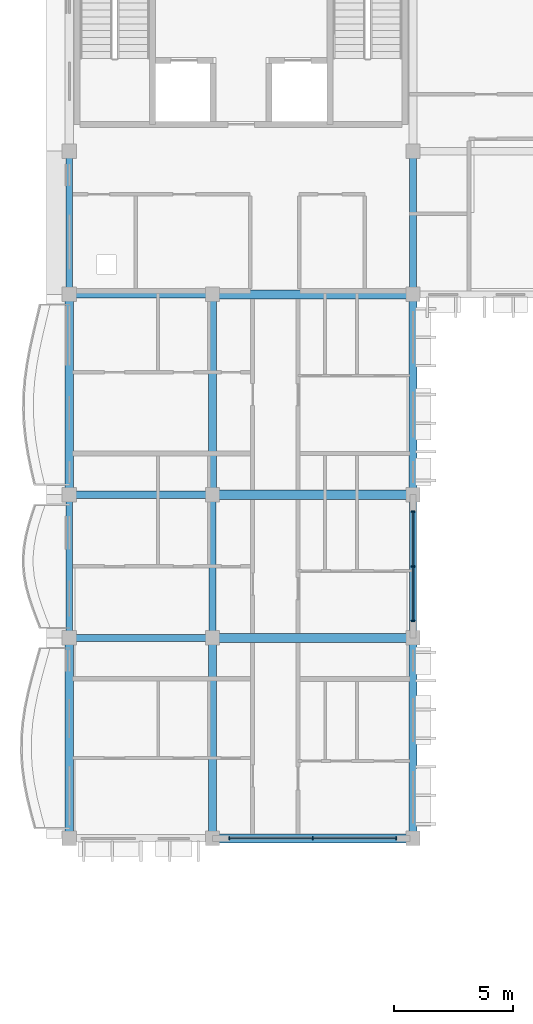
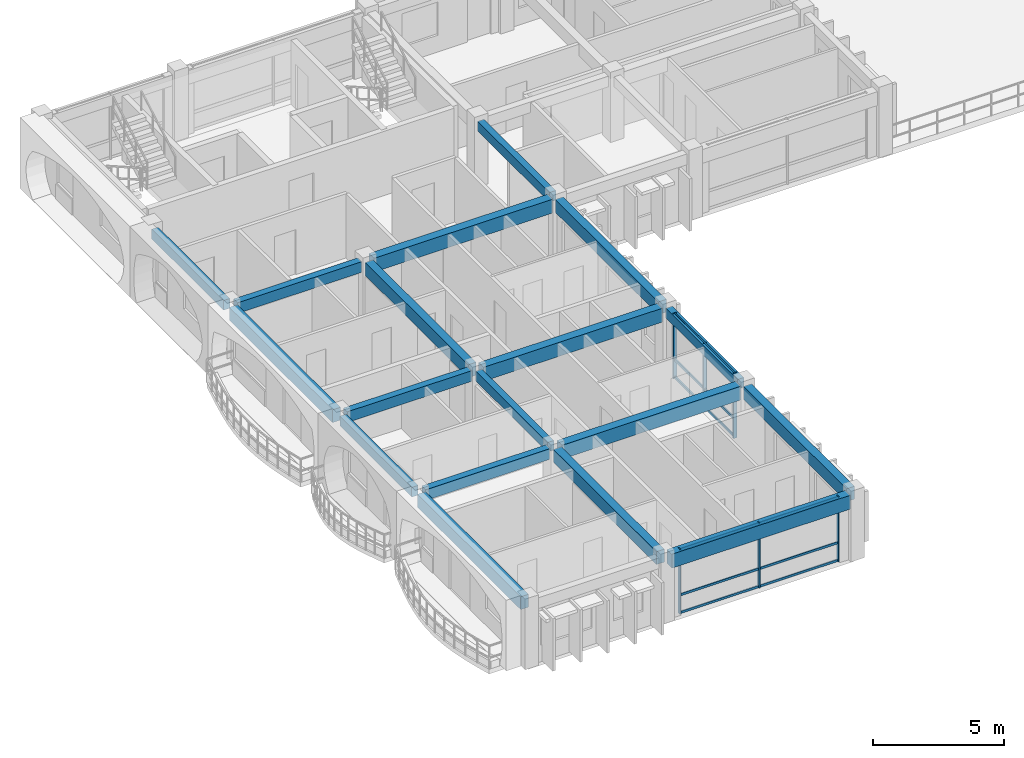
# One storey, part 2 of 31: 18 beams, 12 members, 2 elements without a shape of their own.
"""IFC4 building model written with IfcOpenShell, lengths in metres."""

from ifc_helpers import new_model, si_unit, direction, frame, origin, origin_2d, place, context, subcontext, project, spatial, rectangle, extrude, material, material_profile, profile_set, type_object, element, aggregate, save


model = new_model("IFC4")

# Units and contexts
model_context = context("Model", 3, precision=1e-05, world=origin(), true_north=direction((0.0, 1.0)))
body_context = subcontext(model_context, "Body", "Model", "MODEL_VIEW")
ifc_project = project(units=[si_unit("LENGTHUNIT", "METRE"), si_unit("AREAUNIT", "SQUARE_METRE"), si_unit("VOLUMEUNIT", "CUBIC_METRE"), si_unit("PLANEANGLEUNIT", "RADIAN"), si_unit("MASSUNIT", "GRAM", prefix="KILO"), si_unit("THERMODYNAMICTEMPERATUREUNIT", "KELVIN")], contexts=[model_context])

# Site, building, storey
site_placement = place(None, origin())
site = spatial("IfcSite", under=ifc_project, at=site_placement, CompositionType="ELEMENT")
building_placement = place(site_placement, origin())
building = spatial("IfcBuilding", under=site, at=building_placement, Name="Thalorik Housing Commons", CompositionType="ELEMENT")
storey_placement = place(building_placement, frame((0.0, 0.0, 37.800048828125)))
storey = spatial("IfcBuildingStorey", under=building, at=storey_placement, Name="L11", CompositionType="ELEMENT", Elevation=37.800048828125)

# Curtain wall, members
ifc_material_1 = material(Name="Anodised aluminium and solar-control low-E glass", Category="aluminium")
curtain_wall_type = type_object("IfcCurtainWallType", Name="ARC-CW-LOUNGE", PredefinedType="USERDEFINED", material=ifc_material_1)
curtain_wall_1_placement = place(storey_placement, origin())
curtain_wall_1 = element("IfcCurtainWall", 1, at=curtain_wall_1_placement, inside=storey, type_object=curtain_wall_type, Name="L11 Curtain Wall CW-RES-L11-A-051", ObjectType="CURTAIN WALL", PredefinedType="USERDEFINED")
ifc_material_2 = material(Name="Anodised aluminium 6063-T6", Category="aluminium")
ifc_material_profile_1 = material_profile(ifc_material_2, rectangle(XDim=0.054931640625, YDim=0.139892578125, at=origin_2d()), Name="ALU MUL 55x140", Category="aluminium")
ifc_profile_set_1 = profile_set([ifc_material_profile_1], Name="Anodised aluminium 6063-T6")
member_type_1 = type_object("IfcMemberType", Name="ARC-CW-MUL-55x140", PredefinedType="MULLION", material=ifc_profile_set_1)
member_1_placement = place(storey_placement, frame((15.10009765625, 86.39990234375, 0.0), z_axis=(0.0, 0.0, 1.0), x_axis=(1.0, 0.0, 0.0)))
member_1 = element("IfcMember", 2, at=member_1_placement, type_object=member_type_1, Name="CW-RES-L11-A-051 Mullion 1", PredefinedType="MULLION", context=body_context, shape_type="SweptSolid", body=[
    extrude(rectangle(XDim=0.054931640625, YDim=0.139892578125, at=origin_2d()), origin(), (0.0, 0.0, 1.0), 3.0400390625),
])
member_2_placement = place(storey_placement, frame((18.60009765625, 86.39990234375, 0.0), z_axis=(0.0, 0.0, 1.0), x_axis=(1.0, 0.0, 0.0)))
member_2 = element("IfcMember", 3, at=member_2_placement, type_object=member_type_1, Name="CW-RES-L11-A-051 Mullion 2", PredefinedType="MULLION", context=body_context, shape_type="SweptSolid", body=[
    extrude(rectangle(XDim=0.054931640625, YDim=0.139892578125, at=origin_2d()), origin(), (0.0, 0.0, 1.0), 3.0400390625),
])
member_3_placement = place(storey_placement, frame((22.10009765625, 86.39990234375, 0.0), z_axis=(0.0, 0.0, 1.0), x_axis=(1.0, 0.0, 0.0)))
member_3 = element("IfcMember", 4, at=member_3_placement, type_object=member_type_1, Name="CW-RES-L11-A-051 Mullion 3", PredefinedType="MULLION", context=body_context, shape_type="SweptSolid", body=[
    extrude(rectangle(XDim=0.054931640625, YDim=0.139892578125, at=origin_2d()), origin(), (0.0, 0.0, 1.0), 3.0400390625),
])

curtain_wall_2_placement = place(storey_placement, origin())
curtain_wall_2 = element("IfcCurtainWall", 5, at=curtain_wall_2_placement, inside=storey, type_object=curtain_wall_type, Name="L11 Curtain Wall CW-RES-L11-A-052", ObjectType="CURTAIN WALL", PredefinedType="USERDEFINED")
ifc_material_profile_2 = material_profile(ifc_material_2, rectangle(XDim=0.06005859375, YDim=0.159912109375, at=origin_2d()), Name="ALU MUL 60x160", Category="aluminium")
ifc_profile_set_2 = profile_set([ifc_material_profile_2], Name="Anodised aluminium 6063-T6")
member_type_2 = type_object("IfcMemberType", Name="ARC-CW-MUL-60x160", PredefinedType="MULLION", material=ifc_profile_set_2)
member_4_placement = place(storey_placement, frame((22.800048828125, 95.5, 0.0), z_axis=(0.0, 0.0, 1.0), x_axis=(0.0, 1.0, 0.0)))
member_4 = element("IfcMember", 6, at=member_4_placement, type_object=member_type_2, Name="CW-RES-L11-A-052 Mullion 1", PredefinedType="MULLION", context=body_context, shape_type="SweptSolid", body=[
    extrude(rectangle(XDim=0.06005859375, YDim=0.159912109375, at=origin_2d()), origin(), (0.0, 0.0, 1.0), 3.0400390625),
])
member_5_placement = place(storey_placement, frame((22.800048828125, 97.800048828125, 0.0), z_axis=(0.0, 0.0, 1.0), x_axis=(0.0, 1.0, 0.0)))
member_5 = element("IfcMember", 7, at=member_5_placement, type_object=member_type_2, Name="CW-RES-L11-A-052 Mullion 2", PredefinedType="MULLION", context=body_context, shape_type="SweptSolid", body=[
    extrude(rectangle(XDim=0.06005859375, YDim=0.159912109375, at=origin_2d()), origin(), (0.0, 0.0, 1.0), 3.0400390625),
])
member_6_placement = place(storey_placement, frame((22.800048828125, 100.10009765625, 0.0), z_axis=(0.0, 0.0, 1.0), x_axis=(0.0, 1.0, 0.0)))
member_6 = element("IfcMember", 8, at=member_6_placement, type_object=member_type_2, Name="CW-RES-L11-A-052 Mullion 3", PredefinedType="MULLION", context=body_context, shape_type="SweptSolid", body=[
    extrude(rectangle(XDim=0.06005859375, YDim=0.159912109375, at=origin_2d()), origin(), (0.0, 0.0, 1.0), 3.0400390625),
])

# Member
ifc_material_profile_3 = material_profile(ifc_material_2, rectangle(XDim=0.054931640625, YDim=0.10498046875, at=origin_2d()), Name="ALU TRN 55x105", Category="aluminium")
ifc_profile_set_3 = profile_set([ifc_material_profile_3], Name="Anodised aluminium 6063-T6")
member_type_3 = type_object("IfcMemberType", Name="ARC-CW-TRN-55x105", PredefinedType="USERDEFINED", material=ifc_profile_set_3)
member_7_placement = place(storey_placement, frame((15.10009765625, 86.39990234375, 0.054931640625), z_axis=(1.0, 0.0, 0.0), x_axis=(0.0, 1.0, 0.0)))
member_7 = element("IfcMember", 9, at=member_7_placement, type_object=member_type_3, Name="CW-RES-L11-A-051 Transom 1", ObjectType="TRANSOM", PredefinedType="USERDEFINED", context=body_context, shape_type="SweptSolid", body=[
    extrude(rectangle(XDim=0.054931640625, YDim=0.10498046875, at=origin_2d()), origin(), (0.0, 0.0, 1.0), 7.0),
])

member_8_placement = place(storey_placement, frame((15.10009765625, 86.39990234375, 0.8798828125), z_axis=(1.0, 0.0, 0.0), x_axis=(0.0, 1.0, 0.0)))
member_8 = element("IfcMember", 10, at=member_8_placement, type_object=member_type_3, Name="CW-RES-L11-A-051 Transom 2", ObjectType="TRANSOM", PredefinedType="USERDEFINED", context=body_context, shape_type="SweptSolid", body=[
    extrude(rectangle(XDim=0.054931640625, YDim=0.10498046875, at=origin_2d()), origin(), (0.0, 0.0, 1.0), 7.0),
])

member_9_placement = place(storey_placement, frame((15.10009765625, 86.39990234375, 2.98486328125), z_axis=(1.0, 0.0, 0.0), x_axis=(0.0, 1.0, 0.0)))
member_9 = element("IfcMember", 11, at=member_9_placement, type_object=member_type_3, Name="CW-RES-L11-A-051 Transom 3", ObjectType="TRANSOM", PredefinedType="USERDEFINED", context=body_context, shape_type="SweptSolid", body=[
    extrude(rectangle(XDim=0.054931640625, YDim=0.10498046875, at=origin_2d()), origin(), (0.0, 0.0, 1.0), 7.0),
])

aggregate(curtain_wall_1, [member_1, member_2, member_3, member_7, member_8, member_9])

ifc_material_profile_4 = material_profile(ifc_material_2, rectangle(XDim=0.06005859375, YDim=0.1201171875, at=origin_2d()), Name="ALU TRN 60x120", Category="aluminium")
ifc_profile_set_4 = profile_set([ifc_material_profile_4], Name="Anodised aluminium 6063-T6")
member_type_4 = type_object("IfcMemberType", Name="ARC-CW-TRN-60x120", PredefinedType="USERDEFINED", material=ifc_profile_set_4)
member_10_placement = place(storey_placement, frame((22.800048828125, 95.5, 0.054931640625), z_axis=(0.0, 1.0, 0.0), x_axis=(-1.0, 0.0, 0.0)))
member_10 = element("IfcMember", 12, at=member_10_placement, type_object=member_type_4, Name="CW-RES-L11-A-052 Transom 1", ObjectType="TRANSOM", PredefinedType="USERDEFINED", context=body_context, shape_type="SweptSolid", body=[
    extrude(rectangle(XDim=0.06005859375, YDim=0.1201171875, at=origin_2d()), origin(), (0.0, 0.0, 1.0), 4.60009765625),
])

member_11_placement = place(storey_placement, frame((22.800048828125, 95.5, 0.8798828125), z_axis=(0.0, 1.0, 0.0), x_axis=(-1.0, 0.0, 0.0)))
member_11 = element("IfcMember", 13, at=member_11_placement, type_object=member_type_4, Name="CW-RES-L11-A-052 Transom 2", ObjectType="TRANSOM", PredefinedType="USERDEFINED", context=body_context, shape_type="SweptSolid", body=[
    extrude(rectangle(XDim=0.06005859375, YDim=0.1201171875, at=origin_2d()), origin(), (0.0, 0.0, 1.0), 4.60009765625),
])

member_12_placement = place(storey_placement, frame((22.800048828125, 95.5, 2.98486328125), z_axis=(0.0, 1.0, 0.0), x_axis=(-1.0, 0.0, 0.0)))
member_12 = element("IfcMember", 14, at=member_12_placement, type_object=member_type_4, Name="CW-RES-L11-A-052 Transom 3", ObjectType="TRANSOM", PredefinedType="USERDEFINED", context=body_context, shape_type="SweptSolid", body=[
    extrude(rectangle(XDim=0.06005859375, YDim=0.1201171875, at=origin_2d()), origin(), (0.0, 0.0, 1.0), 4.60009765625),
])

aggregate(curtain_wall_2, [member_4, member_5, member_6, member_10, member_11, member_12])

# Beams
ifc_material_3 = material(Name="Precast concrete C40/50", Category="concrete")
ifc_material_profile_5 = material_profile(ifc_material_3, rectangle(XDim=0.280029296875, YDim=0.449951171875, at=origin_2d()), Name="PC 280x450", Category="concrete")
ifc_profile_set_5 = profile_set([ifc_material_profile_5], Name="Precast concrete C40/50")
beam_type_1 = type_object("IfcBeamType", Name="STR-BM-PC280x450", PredefinedType="BEAM", material=ifc_profile_set_5)
for number, where, z_axis, x_axis, name in (
    (15, (8.39990234375, 95.050048828125, 2.81494140625), (0.0, 1.0, 0.0), (-1.0, 0.0, 0.0), "L11 Beam B-450"),
    (16, (8.39990234375, 109.449951171875, 2.81494140625), (0.0, 1.0, 0.0), (-1.0, 0.0, 0.0), "L11 Beam B-450"),
    (17, (14.39990234375, 95.050048828125, 2.81494140625), (0.0, 1.0, 0.0), (-1.0, 0.0, 0.0), "L11 Beam B-450"),
    (18, (22.800048828125, 95.050048828125, 2.81494140625), (0.0, 1.0, 0.0), (-1.0, 0.0, 0.0), "L11 Beam B-450"),
    (19, (22.800048828125, 109.449951171875, 2.81494140625), (0.0, 1.0, 0.0), (-1.0, 0.0, 0.0), "L11 Beam B-450"),
):
    element("IfcBeam", number, at=place(storey_placement, frame(where, z_axis=z_axis, x_axis=x_axis)), inside=storey, type_object=beam_type_1, Name=name, PredefinedType="BEAM", context=body_context, shape_type="SweptSolid", body=[
        extrude(rectangle(XDim=0.280029296875, YDim=0.449951171875, at=origin_2d()), origin(), (0.0, 0.0, 1.0), 5.5),
    ])
ifc_material_profile_6 = material_profile(ifc_material_3, rectangle(XDim=0.300048828125, YDim=0.5, at=origin_2d()), Name="PC 300x500", Category="concrete")
ifc_profile_set_6 = profile_set([ifc_material_profile_6], Name="Precast concrete C40/50")
beam_type_2 = type_object("IfcBeamType", Name="STR-BM-PC300x500", PredefinedType="BEAM", material=ifc_profile_set_6)
for number, where, z_axis, x_axis, name in (
    (20, (8.64990234375, 94.800048828125, 2.7900390625), (1.0, 0.0, 0.0), (0.0, 1.0, 0.0), "L11 Beam B-500"),
    (21, (8.64990234375, 100.800048828125, 2.7900390625), (1.0, 0.0, 0.0), (0.0, 1.0, 0.0), "L11 Beam B-500"),
    (22, (8.64990234375, 109.199951171875, 2.7900390625), (1.0, 0.0, 0.0), (0.0, 1.0, 0.0), "L11 Beam B-500"),
):
    element("IfcBeam", number, at=place(storey_placement, frame(where, z_axis=z_axis, x_axis=x_axis)), inside=storey, type_object=beam_type_2, Name=name, PredefinedType="BEAM", context=body_context, shape_type="SweptSolid", body=[
        extrude(rectangle(XDim=0.300048828125, YDim=0.5, at=origin_2d()), origin(), (0.0, 0.0, 1.0), 5.5),
    ])
ifc_material_profile_7 = material_profile(ifc_material_3, rectangle(XDim=0.35009765625, YDim=0.60009765625, at=origin_2d()), Name="PC 350x600", Category="concrete")
ifc_profile_set_7 = profile_set([ifc_material_profile_7], Name="Precast concrete C40/50")
beam_type_3 = type_object("IfcBeamType", Name="STR-BM-PC350x600", PredefinedType="BEAM", material=ifc_profile_set_7)
beam_1_placement = place(storey_placement, frame((8.39990234375, 86.64990234375, 2.739990234375), z_axis=(0.0, 1.0, 0.0), x_axis=(-1.0, 0.0, 0.0)))
element("IfcBeam", 23, at=beam_1_placement, inside=storey, type_object=beam_type_3, Name="L11 Beam B-600", PredefinedType="BEAM", context=body_context, shape_type="SweptSolid", body=[
    extrude(rectangle(XDim=0.35009765625, YDim=0.60009765625, at=origin_2d()), origin(), (0.0, 0.0, 1.0), 7.900146484375),
])
beam_2_placement = place(storey_placement, frame((8.39990234375, 101.050048828125, 2.739990234375), z_axis=(0.0, 1.0, 0.0), x_axis=(-1.0, 0.0, 0.0)))
element("IfcBeam", 24, at=beam_2_placement, inside=storey, type_object=beam_type_3, Name="L11 Beam B-600", PredefinedType="BEAM", context=body_context, shape_type="SweptSolid", body=[
    extrude(rectangle(XDim=0.35009765625, YDim=0.60009765625, at=origin_2d()), origin(), (0.0, 0.0, 1.0), 7.89990234375),
])
beam_3_placement = place(storey_placement, frame((14.39990234375, 86.64990234375, 2.739990234375), z_axis=(0.0, 1.0, 0.0), x_axis=(-1.0, 0.0, 0.0)))
element("IfcBeam", 25, at=beam_3_placement, inside=storey, type_object=beam_type_3, Name="L11 Beam B-600", PredefinedType="BEAM", context=body_context, shape_type="SweptSolid", body=[
    extrude(rectangle(XDim=0.35009765625, YDim=0.60009765625, at=origin_2d()), origin(), (0.0, 0.0, 1.0), 7.900146484375),
])
beam_4_placement = place(storey_placement, frame((14.39990234375, 101.050048828125, 2.739990234375), z_axis=(0.0, 1.0, 0.0), x_axis=(-1.0, 0.0, 0.0)))
element("IfcBeam", 26, at=beam_4_placement, inside=storey, type_object=beam_type_3, Name="L11 Beam B-600", PredefinedType="BEAM", context=body_context, shape_type="SweptSolid", body=[
    extrude(rectangle(XDim=0.35009765625, YDim=0.60009765625, at=origin_2d()), origin(), (0.0, 0.0, 1.0), 7.89990234375),
])
beam_5_placement = place(storey_placement, frame((22.800048828125, 86.64990234375, 2.739990234375), z_axis=(0.0, 1.0, 0.0), x_axis=(-1.0, 0.0, 0.0)))
element("IfcBeam", 27, at=beam_5_placement, inside=storey, type_object=beam_type_3, Name="L11 Beam B-600", PredefinedType="BEAM", context=body_context, shape_type="SweptSolid", body=[
    extrude(rectangle(XDim=0.35009765625, YDim=0.60009765625, at=origin_2d()), origin(), (0.0, 0.0, 1.0), 7.900146484375),
])
beam_6_placement = place(storey_placement, frame((22.800048828125, 101.050048828125, 2.739990234375), z_axis=(0.0, 1.0, 0.0), x_axis=(-1.0, 0.0, 0.0)))
element("IfcBeam", 28, at=beam_6_placement, inside=storey, type_object=beam_type_3, Name="L11 Beam B-600", PredefinedType="BEAM", context=body_context, shape_type="SweptSolid", body=[
    extrude(rectangle(XDim=0.35009765625, YDim=0.60009765625, at=origin_2d()), origin(), (0.0, 0.0, 1.0), 7.89990234375),
])
ifc_material_profile_8 = material_profile(ifc_material_3, rectangle(XDim=0.3798828125, YDim=0.64990234375, at=origin_2d()), Name="PC 380x650", Category="concrete")
ifc_profile_set_8 = profile_set([ifc_material_profile_8], Name="Precast concrete C40/50")
beam_type_4 = type_object("IfcBeamType", Name="STR-BM-PC380x650", PredefinedType="BEAM", material=ifc_profile_set_8)
for number, where, z_axis, x_axis, name in (
    (29, (14.64990234375, 86.39990234375, 2.71484375), (1.0, 0.0, 0.0), (0.0, 1.0, 0.0), "L11 Beam B-650"),
    (30, (14.64990234375, 94.800048828125, 2.71484375), (1.0, 0.0, 0.0), (0.0, 1.0, 0.0), "L11 Beam B-650"),
    (31, (14.64990234375, 100.800048828125, 2.71484375), (1.0, 0.0, 0.0), (0.0, 1.0, 0.0), "L11 Beam B-650"),
    (32, (14.64990234375, 109.199951171875, 2.71484375), (1.0, 0.0, 0.0), (0.0, 1.0, 0.0), "L11 Beam B-650"),
):
    element("IfcBeam", number, at=place(storey_placement, frame(where, z_axis=z_axis, x_axis=x_axis)), inside=storey, type_object=beam_type_4, Name=name, PredefinedType="BEAM", context=body_context, shape_type="SweptSolid", body=[
        extrude(rectangle(XDim=0.3798828125, YDim=0.64990234375, at=origin_2d()), origin(), (0.0, 0.0, 1.0), 7.900146484375),
    ])

save(model, "model.ifc")
